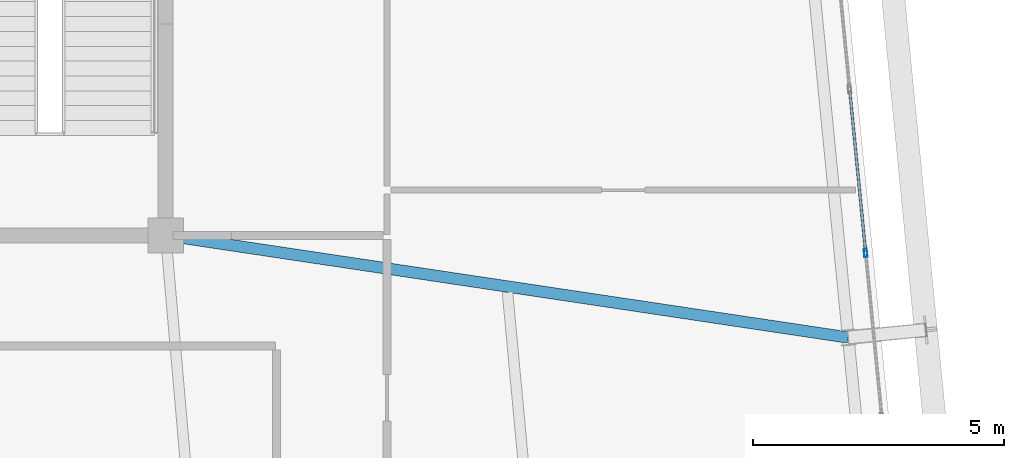
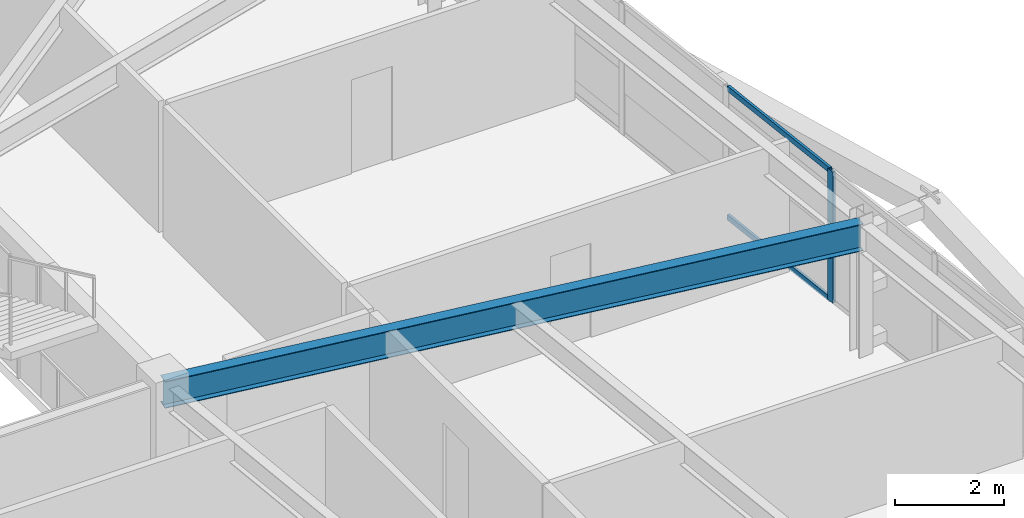
# One storey, part 25 of 52: 3 members, 1 beam, 1 element without a shape of its own.
"""IFC4 building model written with IfcOpenShell, lengths in metres."""

from ifc_helpers import new_model, si_unit, direction, frame, origin, origin_2d, place, context, subcontext, project, spatial, hollow_rectangle, i_section, extrude, source, transform, mapped, material, layer, layer_set, material_profile, profile_set, type_object, element, aggregate, save


model = new_model("IFC4")

# Units and contexts
model_context = context("Model", 3, precision=1e-05, world=origin(), true_north=direction((0.0, 1.0)))
body_context = subcontext(model_context, "Body", "Model", "MODEL_VIEW")
ifc_project = project(units=[si_unit("LENGTHUNIT", "METRE"), si_unit("AREAUNIT", "SQUARE_METRE"), si_unit("VOLUMEUNIT", "CUBIC_METRE"), si_unit("PLANEANGLEUNIT", "RADIAN"), si_unit("MASSUNIT", "GRAM", prefix="KILO")], contexts=[model_context])

# Site, building, storey
site_placement = place(None, origin())
site = spatial("IfcSite", under=ifc_project, at=site_placement, CompositionType="ELEMENT")
building_placement = place(site_placement, origin())
building = spatial("IfcBuilding", under=site, at=building_placement, Name="Taldren Reach Tower", CompositionType="ELEMENT")
storey_placement = place(building_placement, frame((0.0, 0.0, 93.449951171875)))
storey = spatial("IfcBuildingStorey", under=building, at=storey_placement, Name="L28", CompositionType="ELEMENT", Elevation=93.449951171875)

# Beam
ifc_material_1 = material(Name="Steel Gr 350 (350PLUS)", Category="steel")
ifc_material_profile_1 = material_profile(ifc_material_1, i_section(OverallWidth=0.22802734375, OverallDepth=0.60205078125, WebThickness=0.010498046875, FlangeThickness=0.014892578125, at=origin_2d()), Name="610UB101")
ifc_profile_set_1 = profile_set([ifc_material_profile_1], Name="Steel Gr 350 (350PLUS)")
beam_type = type_object("IfcBeamType", Name="BM-UB610B", PredefinedType="BEAM", material=ifc_profile_set_1)
shared_shape_1 = source(origin(), body_context, "Body", "SweptSolid", [
    extrude(i_section(OverallWidth=0.22802734375, OverallDepth=0.60205078125, WebThickness=0.010498046875, FlangeThickness=0.014892578125, at=origin_2d()), origin(), (0.0, 0.0, 1.0), 13.720703125),
])
beam_placement = place(storey_placement, frame((51.0, 24.0, 2.629150390625), z_axis=(0.988983679407, -0.148024598856, 0.0), x_axis=(0.148024598856, 0.988983679407, 0.0)))
element("IfcBeam", 1, at=beam_placement, inside=storey, type_object=beam_type, Name="Primary floor girder B2-E2 L28", PredefinedType="BEAM", context=body_context, shape_type="MappedRepresentation", body=[
    mapped(shared_shape_1, transform((0.0, 0.0, 0.0), scale=1.0)),
])

# Curtain wall, members
ifc_material_2 = material(Name="Aluminium and Low-E Glass Unitised System", Category="aluminium")
ifc_layer = layer(ifc_material_2, 0.159912109375)
ifc_layer_set = layer_set([ifc_layer], Name="Aluminium and Low-E Glass Unitised System")
curtain_wall_type = type_object("IfcCurtainWallType", Name="CW-SYS-3", PredefinedType="NOTDEFINED", material=ifc_layer_set)
curtain_wall_placement = place(storey_placement, origin())
curtain_wall = element("IfcCurtainWall", 2, at=curtain_wall_placement, inside=storey, type_object=curtain_wall_type, Name="Unitised curtain wall CW-L28-E", PredefinedType="NOTDEFINED")
ifc_material_3 = material(Name="Anodised Aluminium 6063-T6", Category="aluminium")
ifc_material_profile_2 = material_profile(ifc_material_3, hollow_rectangle(XDim=0.06494140625, YDim=0.1650390625, WallThickness=0.00390625, at=origin_2d()), Name="ALU-165x65x4RHS")
ifc_profile_set_2 = profile_set([ifc_material_profile_2], Name="Anodised Aluminium 6063-T6")
member_type_1 = type_object("IfcMemberType", Name="CW-MUL-165", PredefinedType="MULLION", material=ifc_profile_set_2)
shared_shape_2 = source(origin(), body_context, "Body", "SweptSolid", [
    extrude(hollow_rectangle(XDim=0.06494140625, YDim=0.1650390625, WallThickness=0.00390625, at=origin_2d()), origin(), (0.0, 0.0, 1.0), 2.929931640625),
])
member_1_placement = place(storey_placement, frame((64.9169921875, 23.649658203125, 0.0), z_axis=(0.0, 0.0, 1.0), x_axis=(-0.99522741555, -0.09758274098, 0.0)))
member_1 = element("IfcMember", 3, at=member_1_placement, type_object=member_type_1, Name="CW-3 mullion 6", PredefinedType="MULLION", context=body_context, shape_type="MappedRepresentation", body=[
    mapped(shared_shape_2, transform((0.0, 0.0, 0.0), scale=1.0)),
])
ifc_material_profile_3 = material_profile(ifc_material_3, hollow_rectangle(XDim=0.054931640625, YDim=0.1201171875, WallThickness=0.0029296875, at=origin_2d()), Name="ALU-120x55x3RHS")
ifc_profile_set_3 = profile_set([ifc_material_profile_3], Name="Anodised Aluminium 6063-T6")
member_type_2 = type_object("IfcMemberType", Name="CW-TRN-135", PredefinedType="USERDEFINED", material=ifc_profile_set_3)
shared_shape_3 = source(origin(), body_context, "Body", "SweptSolid", [
    extrude(hollow_rectangle(XDim=0.054931640625, YDim=0.1201171875, WallThickness=0.0029296875, at=origin_2d()), origin(), (0.0, 0.0, 1.0), 3.212646484375),
])
member_2_placement = place(storey_placement, frame((64.913818359375, 23.68212890625, 0.027587890625), z_axis=(-0.097577327663, 0.995227946315, 0.0), x_axis=(-0.995227946315, -0.097577327663, 0.0)))
member_2 = element("IfcMember", 4, at=member_2_placement, type_object=member_type_2, Name="CW-3 transom 6.1", ObjectType="TRANSOM", PredefinedType="USERDEFINED", context=body_context, shape_type="MappedRepresentation", body=[
    mapped(shared_shape_3, transform((0.0, 0.0, 0.0), scale=1.0)),
])
member_3_placement = place(storey_placement, frame((64.913818359375, 23.68212890625, 2.902587890625), z_axis=(-0.097577327663, 0.995227946315, 0.0), x_axis=(-0.995227946315, -0.097577327663, 0.0)))
member_3 = element("IfcMember", 5, at=member_3_placement, type_object=member_type_2, Name="CW-3 transom 6.2", ObjectType="TRANSOM", PredefinedType="USERDEFINED", context=body_context, shape_type="MappedRepresentation", body=[
    mapped(shared_shape_3, transform((0.0, 0.0, 0.0), scale=1.0)),
])
aggregate(curtain_wall, [member_1, member_2, member_3])

save(model, "model.ifc")
